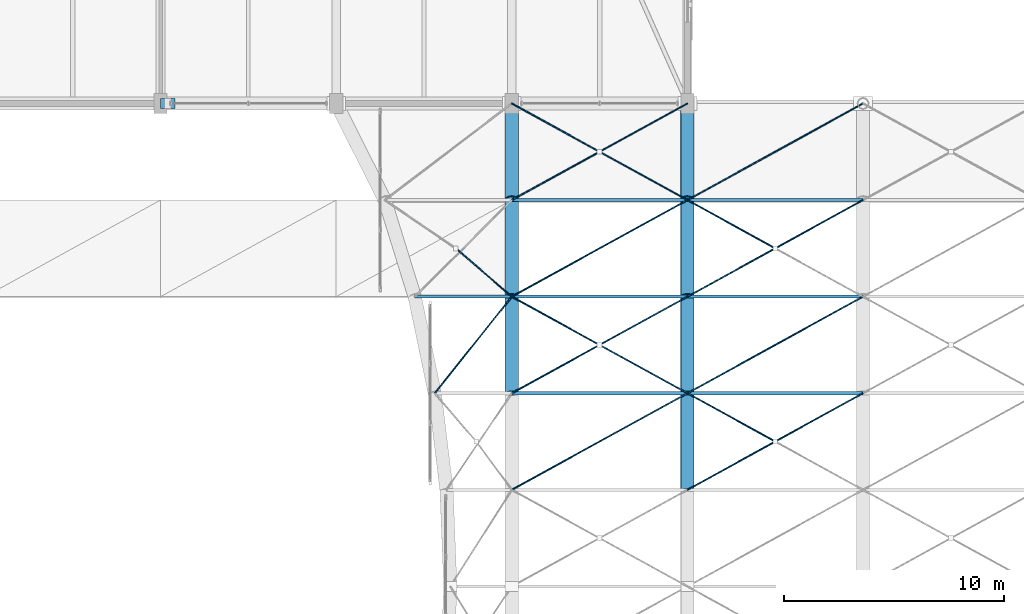
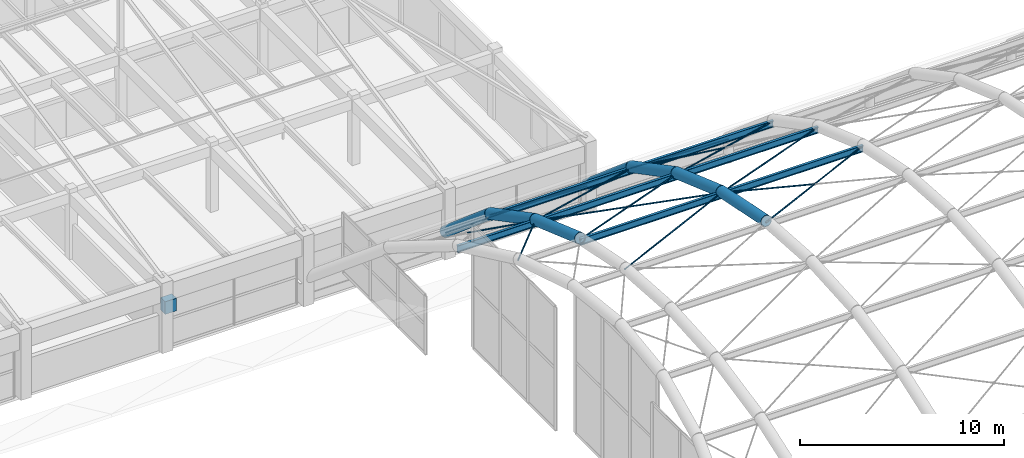
# One storey, part 67 of 126: 16 members, 15 beams.
"""IFC4 building model written with IfcOpenShell, lengths in metres."""

from ifc_helpers import new_model, si_unit, direction, frame, origin, origin_2d, place, context, subcontext, project, spatial, rectangle, circle, hollow_circle, i_section, extrude, material, material_profile, profile_set, type_object, element, save


model = new_model("IFC4")

# Units and contexts
model_context = context("Model", 3, precision=1e-05, world=origin(), true_north=direction((0.0, 1.0)))
body_context = subcontext(model_context, "Body", "Model", "MODEL_VIEW")
ifc_project = project(units=[si_unit("LENGTHUNIT", "METRE"), si_unit("AREAUNIT", "SQUARE_METRE"), si_unit("VOLUMEUNIT", "CUBIC_METRE"), si_unit("PLANEANGLEUNIT", "RADIAN"), si_unit("MASSUNIT", "GRAM", prefix="KILO")], contexts=[model_context])

# Site, building, storey
site_placement = place(None, origin())
site = spatial("IfcSite", under=ifc_project, at=site_placement, CompositionType="ELEMENT")
building_placement = place(site_placement, origin())
building = spatial("IfcBuilding", under=site, at=building_placement, Name="Varnabhumi Central Station", CompositionType="ELEMENT")
storey_placement = place(building_placement, frame((0.0, 0.0, 16.199951171875)))
storey = spatial("IfcBuildingStorey", under=building, at=storey_placement, Name="L03", CompositionType="ELEMENT", Elevation=16.199951171875)

# Beams
ifc_material_1 = material(Name="Structural steel E450", Category="steel")
ifc_material_profile_1 = material_profile(ifc_material_1, hollow_circle(Radius=0.304931640625, WallThickness=0.02490234375, at=origin_2d()), Name="Structural steel E450", Category="steel")
ifc_profile_set_1 = profile_set([ifc_material_profile_1], Name="Structural steel E450")
beam_type_1 = type_object("IfcBeamType", Name="BM-ARCH-CHS610", PredefinedType="BEAM", material=ifc_profile_set_1)
beam_1_placement = place(storey_placement, frame((136.0, 66.800048828125, 8.950927734375), z_axis=(0.0, 0.943395522007, -0.331669849486), x_axis=(-1.0, 0.0, 0.0)))
element("IfcBeam", 1, at=beam_1_placement, inside=storey, type_object=beam_type_1, Name="Platform Train-Shed Vault Arch Rib 2 Seg 8", PredefinedType="BEAM", context=body_context, shape_type="SweptSolid", body=[
    extrude(hollow_circle(Radius=0.304931640625, WallThickness=0.02490234375, at=origin_2d()), origin(), (0.0, 0.0, 1.0), 4.663818359375),
])
beam_2_placement = place(storey_placement, frame((136.0, 71.199951171875, 7.404052734375), z_axis=(0.0, 0.88562177592, -0.464407224337), x_axis=(-1.0, 0.0, 0.0)))
element("IfcBeam", 2, at=beam_2_placement, inside=storey, type_object=beam_type_1, Name="Platform Train-Shed Vault Arch Rib 2 Seg 9", PredefinedType="BEAM", context=body_context, shape_type="SweptSolid", body=[
    extrude(hollow_circle(Radius=0.304931640625, WallThickness=0.02490234375, at=origin_2d()), origin(), (0.0, 0.0, 1.0), 4.968505859375),
])
beam_3_placement = place(storey_placement, frame((136.0, 75.60009765625, 5.0966796875), z_axis=(0.0, 0.761369888875, -0.648317740244), x_axis=(-1.0, 0.0, 0.0)))
element("IfcBeam", 3, at=beam_3_placement, inside=storey, type_object=beam_type_1, Name="Platform Train-Shed Vault Arch Rib 2 Seg 10", PredefinedType="BEAM", context=body_context, shape_type="SweptSolid", body=[
    extrude(hollow_circle(Radius=0.304931640625, WallThickness=0.02490234375, at=origin_2d()), origin(), (0.0, 0.0, 1.0), 5.77880859375),
])
beam_4_placement = place(storey_placement, frame((144.0, 62.39990234375, 9.85302734375), z_axis=(0.0, 0.979624368007, -0.200838486367), x_axis=(-1.0, 0.0, 0.0)))
element("IfcBeam", 4, at=beam_4_placement, inside=storey, type_object=beam_type_1, Name="Platform Train-Shed Vault Arch Rib 3 Seg 7", PredefinedType="BEAM", context=body_context, shape_type="SweptSolid", body=[
    extrude(hollow_circle(Radius=0.304931640625, WallThickness=0.02490234375, at=origin_2d()), origin(), (0.0, 0.0, 1.0), 4.49169921875),
])
beam_5_placement = place(storey_placement, frame((144.0, 66.800048828125, 8.950927734375), z_axis=(0.0, 0.943395522007, -0.331669849486), x_axis=(-1.0, 0.0, 0.0)))
element("IfcBeam", 5, at=beam_5_placement, inside=storey, type_object=beam_type_1, Name="Platform Train-Shed Vault Arch Rib 3 Seg 8", PredefinedType="BEAM", context=body_context, shape_type="SweptSolid", body=[
    extrude(hollow_circle(Radius=0.304931640625, WallThickness=0.02490234375, at=origin_2d()), origin(), (0.0, 0.0, 1.0), 4.663818359375),
])
beam_6_placement = place(storey_placement, frame((144.0, 71.199951171875, 7.404052734375), z_axis=(0.0, 0.88562177592, -0.464407224337), x_axis=(-1.0, 0.0, 0.0)))
element("IfcBeam", 6, at=beam_6_placement, inside=storey, type_object=beam_type_1, Name="Platform Train-Shed Vault Arch Rib 3 Seg 9", PredefinedType="BEAM", context=body_context, shape_type="SweptSolid", body=[
    extrude(hollow_circle(Radius=0.304931640625, WallThickness=0.02490234375, at=origin_2d()), origin(), (0.0, 0.0, 1.0), 4.968505859375),
])
beam_7_placement = place(storey_placement, frame((144.0, 75.60009765625, 5.0966796875), z_axis=(0.0, 0.761369888875, -0.648317740244), x_axis=(-1.0, 0.0, 0.0)))
element("IfcBeam", 7, at=beam_7_placement, inside=storey, type_object=beam_type_1, Name="Platform Train-Shed Vault Arch Rib 3 Seg 10", PredefinedType="BEAM", context=body_context, shape_type="SweptSolid", body=[
    extrude(hollow_circle(Radius=0.304931640625, WallThickness=0.02490234375, at=origin_2d()), origin(), (0.0, 0.0, 1.0), 5.77880859375),
])
ifc_material_2 = material(Name="Structural steel E350", Category="steel")
ifc_material_profile_2 = material_profile(ifc_material_2, i_section(OverallWidth=0.139892578125, OverallDepth=0.39990234375, WebThickness=0.0087890625, FlangeThickness=0.01611328125, FilletRadius=0.013916015625, at=origin_2d()), Name="Structural steel E350", Category="steel")
ifc_profile_set_2 = profile_set([ifc_material_profile_2], Name="Structural steel E350")
beam_type_2 = type_object("IfcBeamType", Name="BM-PUR-ISMB400", PredefinedType="LINTEL", material=ifc_profile_set_2)
beam_8_placement = place(storey_placement, frame((131.577392578125, 71.199951171875, 7.203857421875), z_axis=(1.0, 0.0, 0.0), x_axis=(0.0, 1.0, 0.0)))
element("IfcBeam", 8, at=beam_8_placement, inside=storey, type_object=beam_type_2, Name="Platform Train-Shed Vault Purlin B1-L8", PredefinedType="LINTEL", context=body_context, shape_type="SweptSolid", body=[
    extrude(i_section(OverallWidth=0.139892578125, OverallDepth=0.39990234375, WebThickness=0.0087890625, FlangeThickness=0.01611328125, FilletRadius=0.013916015625, at=origin_2d()), origin(), (0.0, 0.0, 1.0), 4.422607421875),
])
for number, where, z_axis, x_axis, name in (
    (9, (136.0, 66.800048828125, 8.7509765625), (1.0, 0.0, 0.0), (0.0, 1.0, 0.0), "Platform Train-Shed Vault Purlin B2-L7"),
    (10, (136.0, 71.199951171875, 7.203857421875), (1.0, 0.0, 0.0), (0.0, 1.0, 0.0), "Platform Train-Shed Vault Purlin B2-L8"),
    (11, (136.0, 75.60009765625, 4.896728515625), (1.0, 0.0, 0.0), (0.0, 1.0, 0.0), "Platform Train-Shed Vault Purlin B2-L9"),
    (12, (144.0, 66.800048828125, 8.7509765625), (1.0, 0.0, 0.0), (0.0, 1.0, 0.0), "Platform Train-Shed Vault Purlin B3-L7"),
    (13, (144.0, 71.199951171875, 7.203857421875), (1.0, 0.0, 0.0), (0.0, 1.0, 0.0), "Platform Train-Shed Vault Purlin B3-L8"),
    (14, (144.0, 75.60009765625, 4.896728515625), (1.0, 0.0, 0.0), (0.0, 1.0, 0.0), "Platform Train-Shed Vault Purlin B3-L9"),
):
    element("IfcBeam", number, at=place(storey_placement, frame(where, z_axis=z_axis, x_axis=x_axis)), inside=storey, type_object=beam_type_2, Name=name, PredefinedType="LINTEL", context=body_context, shape_type="SweptSolid", body=[
        extrude(i_section(OverallWidth=0.139892578125, OverallDepth=0.39990234375, WebThickness=0.0087890625, FlangeThickness=0.01611328125, FilletRadius=0.013916015625, at=origin_2d()), origin(), (0.0, 0.0, 1.0), 8.0),
    ])
ifc_material_3 = material(Name="Concrete M40", Category="concrete")
ifc_material_profile_3 = material_profile(ifc_material_3, rectangle(XDim=0.449951171875, YDim=0.75, at=origin_2d()), Name="Concrete M40", Category="concrete")
ifc_profile_set_3 = profile_set([ifc_material_profile_3], Name="Concrete M40")
beam_type_3 = type_object("IfcBeamType", Name="BM-RC-450x750", PredefinedType="BEAM", material=ifc_profile_set_3)
beam_9_placement = place(storey_placement, frame((120.0, 80.0, 2.4951171875), z_axis=(1.0, 0.0, 0.0), x_axis=(0.0, 1.0, 0.0)))
element("IfcBeam", 15, at=beam_9_placement, inside=storey, type_object=beam_type_3, Name="Movement Joint 650mm Corbel Seat L03-K-16", PredefinedType="BEAM", context=body_context, shape_type="SweptSolid", body=[
    extrude(rectangle(XDim=0.449951171875, YDim=0.75, at=origin_2d()), origin(), (0.0, 0.0, 1.0), 0.64990234375),
])

# Members
ifc_material_4 = material(Name="Spiral-strand steel S1570", Category="steel")
ifc_material_profile_4 = material_profile(ifc_material_4, circle(Radius=0.030029296875, at=origin_2d()), Name="Spiral-strand steel S1570", Category="steel")
ifc_profile_set_4 = profile_set([ifc_material_profile_4], Name="Spiral-strand steel S1570")
member_type = type_object("IfcMemberType", Name="MBR-CABLE-D60", PredefinedType="USERDEFINED", material=ifc_profile_set_4)
member_1_placement = place(storey_placement, frame((132.491455078125, 66.800048828125, 8.870849609375), z_axis=(0.601163941229, 0.753891625414, -0.265045907148), x_axis=(-0.781854013129, 0.623461548256, 0.0)))
element("IfcMember", 16, at=member_1_placement, inside=storey, type_object=member_type, Name="Platform Train-Shed Vault Cable-Net Tie B1-P8A", ObjectType="TENSION CABLE", PredefinedType="USERDEFINED", context=body_context, shape_type="SweptSolid", body=[
    extrude(circle(Radius=0.030029296875, at=origin_2d()), origin(), (0.0, 0.0, 1.0), 5.836181640625),
])
member_2_placement = place(storey_placement, frame((133.44775390625, 73.39990234375, 6.17041015625), z_axis=(0.716616198362, -0.617699307771, 0.323896263369), x_axis=(0.652895188911, 0.757448263775, 0.0)))
element("IfcMember", 17, at=member_2_placement, inside=storey, type_object=member_type, Name="Platform Train-Shed Vault Cable-Net Split Tie B1-P9B2", ObjectType="TENSION CABLE", PredefinedType="USERDEFINED", context=body_context, shape_type="SweptSolid", body=[
    extrude(circle(Radius=0.030029296875, at=origin_2d()), origin(), (0.0, 0.0, 1.0), 3.5615234375),
])
member_3_placement = place(storey_placement, frame((136.0, 62.39990234375, 9.77294921875), z_axis=(0.871963360953, 0.47959581465, -0.098324725913), x_axis=(-0.481931067474, 0.876209133828, 0.0)))
element("IfcMember", 18, at=member_3_placement, inside=storey, type_object=member_type, Name="Platform Train-Shed Vault Cable-Net Tie B2-P7A", ObjectType="TENSION CABLE", PredefinedType="USERDEFINED", context=body_context, shape_type="SweptSolid", body=[
    extrude(circle(Radius=0.030029296875, at=origin_2d()), origin(), (0.0, 0.0, 1.0), 9.1748046875),
])
member_4_placement = place(storey_placement, frame((136.0, 66.800048828125, 8.870849609375), z_axis=(0.863908907652, 0.475139353446, -0.167044886441), x_axis=(-0.481910537812, 0.876220425204, 0.0)))
element("IfcMember", 19, at=member_4_placement, inside=storey, type_object=member_type, Name="Platform Train-Shed Vault Cable-Net Tie B2-P8A", ObjectType="TENSION CABLE", PredefinedType="USERDEFINED", context=body_context, shape_type="SweptSolid", body=[
    extrude(circle(Radius=0.030029296875, at=origin_2d()), origin(), (0.0, 0.0, 1.0), 9.26025390625),
])
for number, where, z_axis, x_axis, name in (
    (20, (136.0, 71.199951171875, 7.323974609375), (0.863908907652, -0.475139353446, 0.167044886441), (0.481910537812, 0.876220425204, 0.0), "Platform Train-Shed Vault Cable-Net Split Tie B2-P8B1"),
    (21, (140.0, 69.0, 8.097412109375), (0.863908907652, -0.475139353446, 0.167044886441), (0.481910537812, 0.876220425204, 0.0), "Platform Train-Shed Vault Cable-Net Split Tie B2-P8B2"),
):
    element("IfcMember", number, at=place(storey_placement, frame(where, z_axis=z_axis, x_axis=x_axis)), inside=storey, type_object=member_type, Name=name, ObjectType="TENSION CABLE", PredefinedType="USERDEFINED", context=body_context, shape_type="SweptSolid", body=[
        extrude(circle(Radius=0.030029296875, at=origin_2d()), origin(), (0.0, 0.0, 1.0), 4.630126953125),
    ])
member_5_placement = place(storey_placement, frame((136.0, 71.199951171875, 7.323974609375), z_axis=(0.849501727798, 0.46724150513, -0.245014673749), x_axis=(-0.481931067474, 0.876209133828, 0.0)))
element("IfcMember", 22, at=member_5_placement, inside=storey, type_object=member_type, Name="Platform Train-Shed Vault Cable-Net Tie B2-P9A", ObjectType="TENSION CABLE", PredefinedType="USERDEFINED", context=body_context, shape_type="SweptSolid", body=[
    extrude(circle(Radius=0.030029296875, at=origin_2d()), origin(), (0.0, 0.0, 1.0), 9.417236328125),
])
member_6_placement = place(storey_placement, frame((136.0, 75.60009765625, 5.0166015625), z_axis=(0.810623868746, 0.4458332325, -0.379633602593), x_axis=(-0.481910537812, 0.876220425204, 0.0)))
element("IfcMember", 23, at=member_6_placement, inside=storey, type_object=member_type, Name="Platform Train-Shed Vault Cable-Net Tie B2-P10A", ObjectType="TENSION CABLE", PredefinedType="USERDEFINED", context=body_context, shape_type="SweptSolid", body=[
    extrude(circle(Radius=0.030029296875, at=origin_2d()), origin(), (0.0, 0.0, 1.0), 9.868896484375),
])
for number, where, z_axis, x_axis, name in (
    (24, (136.0, 80.0, 1.27001953125), (0.810623868746, -0.4458332325, 0.379633602593), (0.481910537812, 0.876220425204, 0.0), "Platform Train-Shed Vault Cable-Net Split Tie B2-P10B1"),
    (25, (140.0, 77.800048828125, 3.143310546875), (0.810623868746, -0.4458332325, 0.379633602593), (0.481910537812, 0.876220425204, 0.0), "Platform Train-Shed Vault Cable-Net Split Tie B2-P10B2"),
):
    element("IfcMember", number, at=place(storey_placement, frame(where, z_axis=z_axis, x_axis=x_axis)), inside=storey, type_object=member_type, Name=name, ObjectType="TENSION CABLE", PredefinedType="USERDEFINED", context=body_context, shape_type="SweptSolid", body=[
        extrude(circle(Radius=0.030029296875, at=origin_2d()), origin(), (0.0, 0.0, 1.0), 4.9345703125),
    ])
member_7_placement = place(storey_placement, frame((144.0, 62.39990234375, 9.77294921875), z_axis=(0.871963360953, 0.47959581465, -0.098324725913), x_axis=(-0.481931067474, 0.876209133828, 0.0)))
element("IfcMember", 26, at=member_7_placement, inside=storey, type_object=member_type, Name="Platform Train-Shed Vault Cable-Net Tie B3-P7A", ObjectType="TENSION CABLE", PredefinedType="USERDEFINED", context=body_context, shape_type="SweptSolid", body=[
    extrude(circle(Radius=0.030029296875, at=origin_2d()), origin(), (0.0, 0.0, 1.0), 9.1748046875),
])
member_8_placement = place(storey_placement, frame((144.0, 66.800048828125, 8.870849609375), z_axis=(0.871972207152, -0.479574069742, 0.098352333912), x_axis=(0.481910537812, 0.876220425204, 0.0)))
element("IfcMember", 27, at=member_8_placement, inside=storey, type_object=member_type, Name="Platform Train-Shed Vault Cable-Net Split Tie B3-P7B1", ObjectType="TENSION CABLE", PredefinedType="USERDEFINED", context=body_context, shape_type="SweptSolid", body=[
    extrude(circle(Radius=0.030029296875, at=origin_2d()), origin(), (0.0, 0.0, 1.0), 4.58740234375),
])
member_9_placement = place(storey_placement, frame((144.0, 66.800048828125, 8.870849609375), z_axis=(0.863908907652, 0.475139353446, -0.167044886441), x_axis=(-0.481910537812, 0.876220425204, 0.0)))
element("IfcMember", 28, at=member_9_placement, inside=storey, type_object=member_type, Name="Platform Train-Shed Vault Cable-Net Tie B3-P8A", ObjectType="TENSION CABLE", PredefinedType="USERDEFINED", context=body_context, shape_type="SweptSolid", body=[
    extrude(circle(Radius=0.030029296875, at=origin_2d()), origin(), (0.0, 0.0, 1.0), 9.26025390625),
])
member_10_placement = place(storey_placement, frame((144.0, 71.199951171875, 7.323974609375), z_axis=(0.849501727798, 0.46724150513, -0.245014673749), x_axis=(-0.481931067474, 0.876209133828, 0.0)))
element("IfcMember", 29, at=member_10_placement, inside=storey, type_object=member_type, Name="Platform Train-Shed Vault Cable-Net Tie B3-P9A", ObjectType="TENSION CABLE", PredefinedType="USERDEFINED", context=body_context, shape_type="SweptSolid", body=[
    extrude(circle(Radius=0.030029296875, at=origin_2d()), origin(), (0.0, 0.0, 1.0), 9.417236328125),
])
member_11_placement = place(storey_placement, frame((144.0, 75.60009765625, 5.0166015625), z_axis=(0.849486041567, -0.467258801672, 0.245036073758), x_axis=(0.481951596342, 0.876197842262, 0.0)))
element("IfcMember", 30, at=member_11_placement, inside=storey, type_object=member_type, Name="Platform Train-Shed Vault Cable-Net Split Tie B3-P9B1", ObjectType="TENSION CABLE", PredefinedType="USERDEFINED", context=body_context, shape_type="SweptSolid", body=[
    extrude(circle(Radius=0.030029296875, at=origin_2d()), origin(), (0.0, 0.0, 1.0), 4.708740234375),
])
member_12_placement = place(storey_placement, frame((144.0, 75.60009765625, 5.0166015625), z_axis=(0.810623868746, 0.4458332325, -0.379633602593), x_axis=(-0.481910537812, 0.876220425204, 0.0)))
element("IfcMember", 31, at=member_12_placement, inside=storey, type_object=member_type, Name="Platform Train-Shed Vault Cable-Net Tie B3-P10A", ObjectType="TENSION CABLE", PredefinedType="USERDEFINED", context=body_context, shape_type="SweptSolid", body=[
    extrude(circle(Radius=0.030029296875, at=origin_2d()), origin(), (0.0, 0.0, 1.0), 9.868896484375),
])

save(model, "model.ifc")
